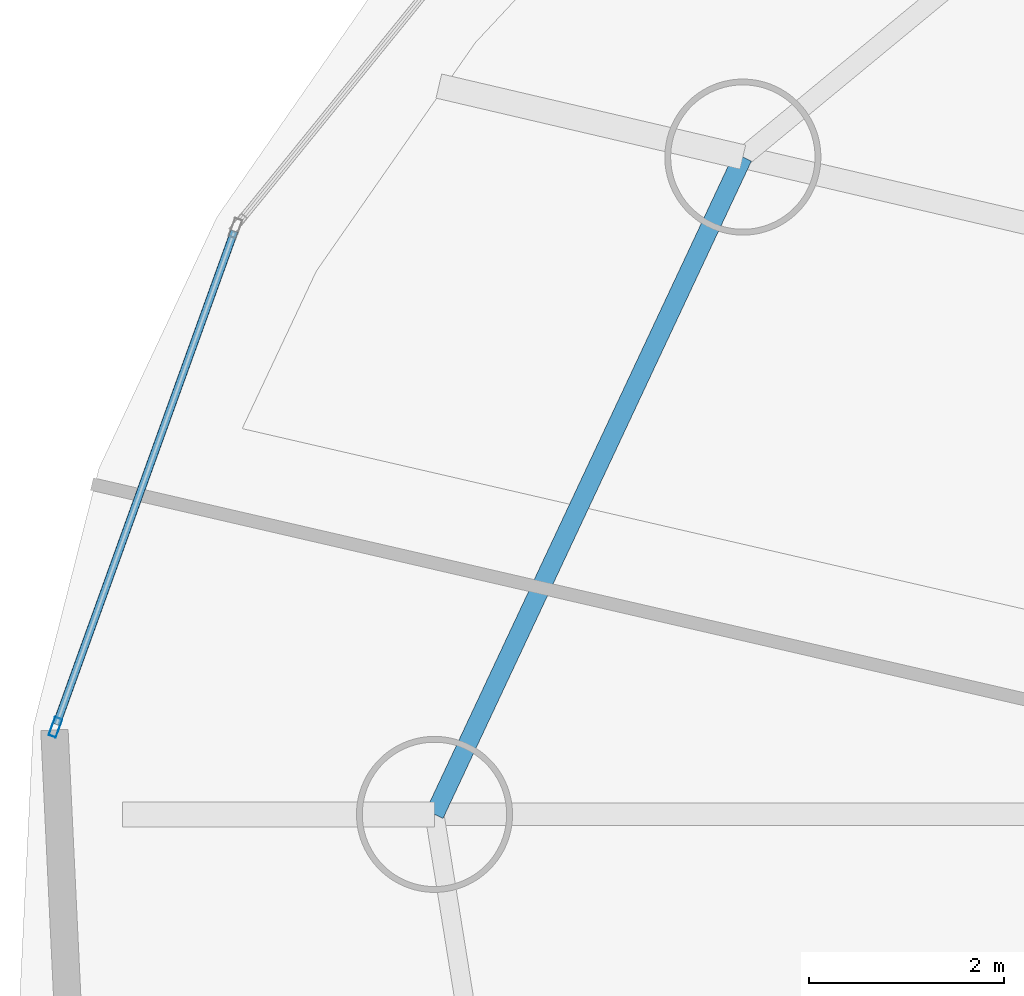
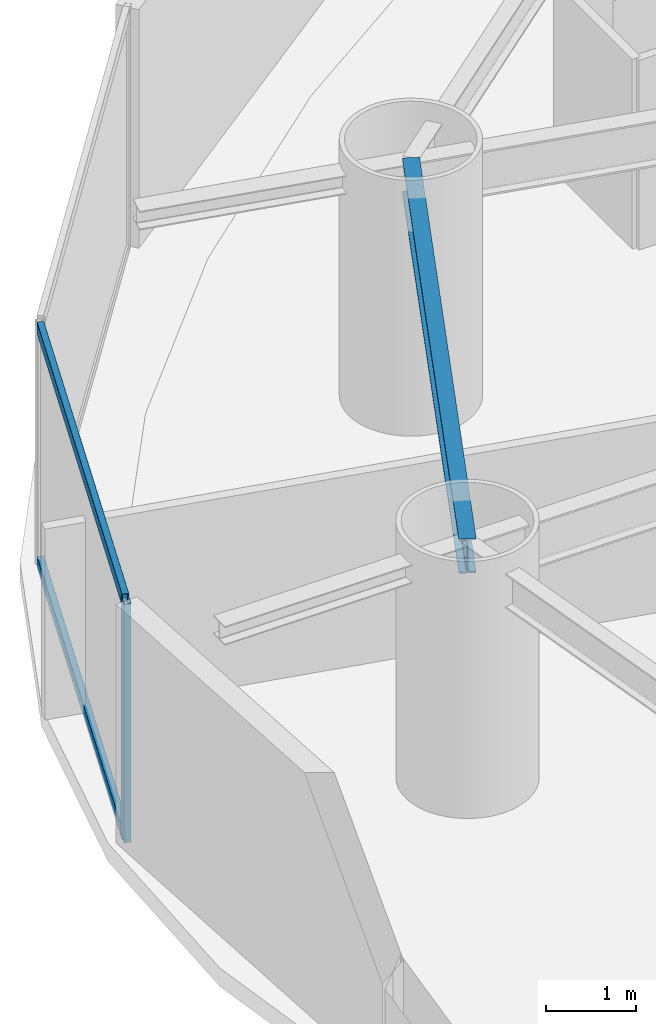
# One storey, part 5 of 23: 3 members, 1 beam, 1 element without a shape of its own.
"""IFC4 building model written with IfcOpenShell, lengths in metres."""

from ifc_helpers import new_model, si_unit, direction, frame, origin, origin_2d, place, context, subcontext, project, spatial, hollow_rectangle, i_section, extrude, material, layer, layer_set, material_profile, profile_set, type_object, element, aggregate, save


model = new_model("IFC4")

# Units and contexts
model_context = context("Model", 3, precision=1e-05, world=origin(), true_north=direction((0.0, 1.0)))
body_context = subcontext(model_context, "Body", "Model", "MODEL_VIEW")
ifc_project = project(units=[si_unit("LENGTHUNIT", "METRE"), si_unit("AREAUNIT", "SQUARE_METRE"), si_unit("VOLUMEUNIT", "CUBIC_METRE"), si_unit("PLANEANGLEUNIT", "RADIAN"), si_unit("MASSUNIT", "GRAM", prefix="KILO")], contexts=[model_context])

# Site, building, storey
site_placement = place(None, origin())
site = spatial("IfcSite", under=ifc_project, at=site_placement, CompositionType="ELEMENT")
building_placement = place(site_placement, origin())
building = spatial("IfcBuilding", under=site, at=building_placement, Name="Bramvorn Convention Spire", CompositionType="ELEMENT")
storey_placement = place(building_placement, frame((0.0, 0.0, 69.39990234375)))
storey = spatial("IfcBuildingStorey", under=building, at=storey_placement, Name="L15", CompositionType="ELEMENT", Elevation=69.39990234375)

# Beam
ifc_material_1 = material(Name="Steel CSA G40.21 Grade 350 (350W)", Category="steel")
ifc_material_profile_1 = material_profile(ifc_material_1, i_section(OverallWidth=0.194091796875, OverallDepth=0.468994140625, WebThickness=0.0126953125, FlangeThickness=0.0205078125, FilletRadius=0.01806640625, at=origin_2d()))
ifc_profile_set_1 = profile_set([ifc_material_profile_1], Name="Steel CSA G40.21 Grade 350 (350W) - W460X106")
beam_type = type_object("IfcBeamType", Name="BM-W460X106", PredefinedType="SPANDREL", material=ifc_profile_set_1)
beam_placement = place(storey_placement, frame((12.64111328125, 36.746337890625, 3.015625), z_axis=(-0.424701955478, -0.9053332254, 0.0), x_axis=(0.9053332254, -0.424701955478, 0.0)))
element("IfcBeam", 1, at=beam_placement, inside=storey, type_object=beam_type, Name="L15 mega-column ring beam 08", PredefinedType="SPANDREL", context=body_context, shape_type="SweptSolid", body=[
    extrude(i_section(OverallWidth=0.194091796875, OverallDepth=0.468994140625, WebThickness=0.0126953125, FlangeThickness=0.0205078125, FilletRadius=0.01806640625, at=origin_2d()), origin(), (0.0, 0.0, 1.0), 7.442626953125),
])

# Curtain wall, members
ifc_material_2 = material(Name="Anodised Bronze Unitised Curtain Wall", Category="aluminium")
ifc_layer = layer(ifc_material_2, 0.179931640625)
ifc_layer_set = layer_set([ifc_layer], Name="Anodised Bronze Unitised Curtain Wall - CW-HTL-FRIT")
curtain_wall_type = type_object("IfcCurtainWallType", Name="CW-HTL-FRIT", PredefinedType="USERDEFINED", material=ifc_layer_set)
curtain_wall_placement = place(storey_placement, origin())
curtain_wall = element("IfcCurtainWall", 2, at=curtain_wall_placement, inside=storey, type_object=curtain_wall_type, Name="L15 fritted glass curtain wall 12", ObjectType="UNITISED CURTAIN WALL", PredefinedType="USERDEFINED")
ifc_material_3 = material(Name="Anodised Bronze Aluminium 6063-T6", Category="aluminium")
ifc_material_profile_2 = material_profile(ifc_material_3, hollow_rectangle(XDim=0.080078125, YDim=0.199951171875, WallThickness=0.00390625, InnerFilletRadius=0.0009765625, OuterFilletRadius=0.00390625, at=origin_2d()))
ifc_profile_set_2 = profile_set([ifc_material_profile_2], Name="Anodised Bronze Aluminium 6063-T6 - CWM80X200")
member_type_1 = type_object("IfcMemberType", Name="CW-MUL-180", PredefinedType="MULLION", material=ifc_profile_set_2)
member_1_placement = place(storey_placement, frame((5.594482421875, 30.901611328125, 0.0), z_axis=(0.0, 0.0, 1.0), x_axis=(-0.94065716223, 0.339358369788, 0.0)))
member_1 = element("IfcMember", 3, at=member_1_placement, type_object=member_type_1, Name="CW2 mullion 1", PredefinedType="MULLION", context=body_context, shape_type="SweptSolid", body=[
    extrude(hollow_rectangle(XDim=0.080078125, YDim=0.199951171875, WallThickness=0.00390625, InnerFilletRadius=0.0009765625, OuterFilletRadius=0.00390625, at=origin_2d()), origin(), (0.0, 0.0, 1.0), 3.25),
])
ifc_material_profile_3 = material_profile(ifc_material_3, hollow_rectangle(XDim=0.080078125, YDim=0.159912109375, WallThickness=0.00390625, InnerFilletRadius=0.0009765625, OuterFilletRadius=0.00390625, at=origin_2d()))
ifc_profile_set_3 = profile_set([ifc_material_profile_3], Name="Anodised Bronze Aluminium 6063-T6 - CWT80X160")
member_type_2 = type_object("IfcMemberType", Name="CW-TRN-150", PredefinedType="USERDEFINED", material=ifc_profile_set_3)
member_2_placement = place(storey_placement, frame((5.604736328125, 30.929931640625, 0.030029296875), z_axis=(0.339328712476, 0.940667861091, 0.0), x_axis=(-0.940667861091, 0.339328712476, 0.0)))
member_2 = element("IfcMember", 4, at=member_2_placement, type_object=member_type_2, Name="CW2 transom 1.1", ObjectType="TRANSOM", PredefinedType="USERDEFINED", context=body_context, shape_type="SweptSolid", body=[
    extrude(hollow_rectangle(XDim=0.080078125, YDim=0.159912109375, WallThickness=0.00390625, InnerFilletRadius=0.0009765625, OuterFilletRadius=0.00390625, at=origin_2d()), origin(), (0.0, 0.0, 1.0), 5.37744140625),
])
member_3_placement = place(storey_placement, frame((5.604736328125, 30.929931640625, 3.22021484375), z_axis=(0.339328712476, 0.940667861091, 0.0), x_axis=(-0.940667861091, 0.339328712476, 0.0)))
member_3 = element("IfcMember", 5, at=member_3_placement, type_object=member_type_2, Name="CW2 transom 1.2", ObjectType="TRANSOM", PredefinedType="USERDEFINED", context=body_context, shape_type="SweptSolid", body=[
    extrude(hollow_rectangle(XDim=0.080078125, YDim=0.159912109375, WallThickness=0.00390625, InnerFilletRadius=0.0009765625, OuterFilletRadius=0.00390625, at=origin_2d()), origin(), (0.0, 0.0, 1.0), 5.37744140625),
])
aggregate(curtain_wall, [member_1, member_2, member_3])

save(model, "model.ifc")
